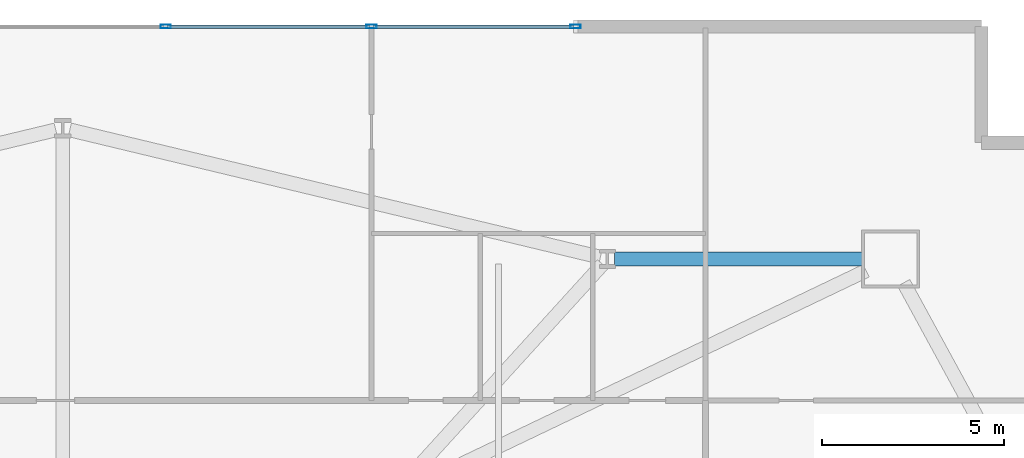
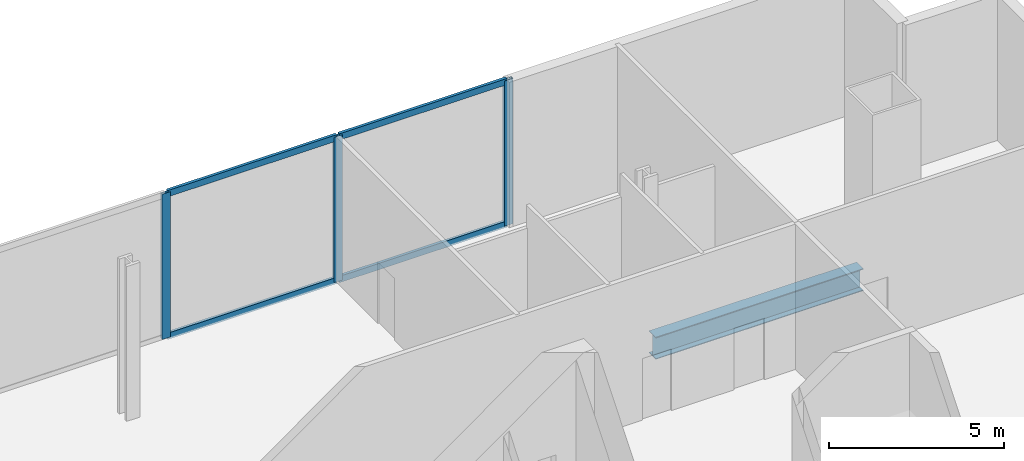
# One storey, part 9 of 20: 7 members, 1 beam, 1 element without a shape of its own.
"""IFC4 building model written with IfcOpenShell, lengths in metres."""

from ifc_helpers import new_model, si_unit, direction, frame, origin, origin_2d, place, context, subcontext, project, spatial, hollow_rectangle, i_section, extrude, material, material_profile, profile_set, type_object, element, aggregate, save


model = new_model("IFC4")

# Units and contexts
model_context = context("Model", 3, precision=1e-05, world=origin(), true_north=direction((0.0, 1.0)))
body_context = subcontext(model_context, "Body", "Model", "MODEL_VIEW")
ifc_project = project(units=[si_unit("LENGTHUNIT", "METRE"), si_unit("AREAUNIT", "SQUARE_METRE"), si_unit("VOLUMEUNIT", "CUBIC_METRE"), si_unit("PLANEANGLEUNIT", "RADIAN"), si_unit("MASSUNIT", "GRAM", prefix="KILO")], contexts=[model_context])

# Site, building, storey
site_placement = place(None, origin())
site = spatial("IfcSite", under=ifc_project, at=site_placement, CompositionType="ELEMENT")
building_placement = place(site_placement, origin())
building = spatial("IfcBuilding", under=site, at=building_placement, Name="Haldenkirk Collegiate Tower", CompositionType="ELEMENT")
storey_placement = place(building_placement, frame((0.0, 0.0, 11.39990234375)))
storey = spatial("IfcBuildingStorey", under=building, at=storey_placement, Name="L02", CompositionType="ELEMENT", Elevation=11.39990234375)

# Beam
ifc_material_1 = material(Name="Steel ASTM A992 Grade 50", Category="steel")
ifc_material_profile_1 = material_profile(ifc_material_1, i_section(OverallWidth=0.381103515625, OverallDepth=0.77294921875, WebThickness=0.0166015625, FlangeThickness=0.027099609375, at=origin_2d()), Name="W30X173")
ifc_profile_set_1 = profile_set([ifc_material_profile_1], Name="Steel ASTM A992 Grade 50")
beam_type = type_object("IfcBeamType", Name="BM-GIRDER-W30X173", PredefinedType="BEAM", material=ifc_profile_set_1)
beam_placement = place(storey_placement, frame((58.050048828125, 40.60009765625, -0.71630859375), z_axis=(-1.0, 0.0, 0.0), x_axis=(0.0, -1.0, 0.0)))
element("IfcBeam", 1, at=beam_placement, inside=storey, type_object=beam_type, Name="L02 podium ring girder 08", PredefinedType="BEAM", context=body_context, shape_type="SweptSolid", body=[
    extrude(i_section(OverallWidth=0.381103515625, OverallDepth=0.77294921875, WebThickness=0.0166015625, FlangeThickness=0.027099609375, at=origin_2d()), origin(), (0.0, 0.0, 1.0), 6.85009765625),
])

# Curtain wall, members
ifc_material_2 = material(Name="Anodised architectural bronze aluminium", Category="aluminium")
curtain_wall_type = type_object("IfcCurtainWallType", Name="CW-SYS3-PODIUM", PredefinedType="USERDEFINED", material=ifc_material_2)
curtain_wall_placement = place(storey_placement, origin())
curtain_wall = element("IfcCurtainWall", 2, at=curtain_wall_placement, inside=storey, type_object=curtain_wall_type, Name="L02 Podium campus concourse and library storefront curtain wall", ObjectType="UNITISED CURTAIN WALL", PredefinedType="USERDEFINED")
ifc_material_profile_2 = material_profile(ifc_material_2, hollow_rectangle(XDim=0.094970703125, YDim=0.280029296875, WallThickness=0.0048828125, at=origin_2d()), Name="CW-MUL-03")
ifc_profile_set_2 = profile_set([ifc_material_profile_2], Name="Anodised architectural bronze aluminium")
member_type_1 = type_object("IfcMemberType", Name="CW-MUL-03", PredefinedType="MULLION", material=ifc_profile_set_2)
member_1_placement = place(storey_placement, frame((38.83349609375, 47.0, 0.0), z_axis=(0.0, 0.0, 1.0), x_axis=(0.0, 1.0, 0.0)))
member_1 = element("IfcMember", 3, at=member_1_placement, type_object=member_type_1, Name="CW-03 mullion 4", PredefinedType="MULLION", context=body_context, shape_type="SweptSolid", body=[
    extrude(hollow_rectangle(XDim=0.094970703125, YDim=0.280029296875, WallThickness=0.0048828125, at=origin_2d()), origin(), (0.0, 0.0, 1.0), 5.070068359375),
])
member_2_placement = place(storey_placement, frame((44.500732421875, 47.0, 0.0), z_axis=(0.0, 0.0, 1.0), x_axis=(0.0, 1.0, 0.0)))
member_2 = element("IfcMember", 4, at=member_2_placement, type_object=member_type_1, Name="CW-03 mullion 5", PredefinedType="MULLION", context=body_context, shape_type="SweptSolid", body=[
    extrude(hollow_rectangle(XDim=0.094970703125, YDim=0.280029296875, WallThickness=0.0048828125, at=origin_2d()), origin(), (0.0, 0.0, 1.0), 5.070068359375),
])
member_3_placement = place(storey_placement, frame((50.12060546875, 47.0, 0.0), z_axis=(0.0, 0.0, 1.0), x_axis=(0.0, 1.0, 0.0)))
member_3 = element("IfcMember", 5, at=member_3_placement, type_object=member_type_1, Name="CW-03 mullion 6", PredefinedType="MULLION", context=body_context, shape_type="SweptSolid", body=[
    extrude(hollow_rectangle(XDim=0.094970703125, YDim=0.280029296875, WallThickness=0.0048828125, at=origin_2d()), origin(), (0.0, 0.0, 1.0), 5.070068359375),
])
ifc_material_profile_3 = material_profile(ifc_material_2, hollow_rectangle(XDim=0.094970703125, YDim=0.219970703125, WallThickness=0.0048828125, at=origin_2d()), Name="CW-TRN-03")
ifc_profile_set_3 = profile_set([ifc_material_profile_3], Name="Anodised architectural bronze aluminium")
member_type_2 = type_object("IfcMemberType", Name="CW-TRN-03", PredefinedType="USERDEFINED", material=ifc_profile_set_3)
member_4_placement = place(storey_placement, frame((38.881103515625, 47.0, 0.047607421875), z_axis=(1.0, 0.0, 0.0), x_axis=(0.0, 1.0, 0.0)))
member_4 = element("IfcMember", 6, at=member_4_placement, type_object=member_type_2, Name="CW-03 transom 4.1", ObjectType="TRANSOM", PredefinedType="USERDEFINED", context=body_context, shape_type="SweptSolid", body=[
    extrude(hollow_rectangle(XDim=0.094970703125, YDim=0.219970703125, WallThickness=0.0048828125, at=origin_2d()), origin(), (0.0, 0.0, 1.0), 5.572265625),
])
member_5_placement = place(storey_placement, frame((38.881103515625, 47.0, 5.022705078125), z_axis=(1.0, 0.0, 0.0), x_axis=(0.0, 1.0, 0.0)))
member_5 = element("IfcMember", 7, at=member_5_placement, type_object=member_type_2, Name="CW-03 transom 4.2", ObjectType="TRANSOM", PredefinedType="USERDEFINED", context=body_context, shape_type="SweptSolid", body=[
    extrude(hollow_rectangle(XDim=0.094970703125, YDim=0.219970703125, WallThickness=0.0048828125, at=origin_2d()), origin(), (0.0, 0.0, 1.0), 5.572265625),
])
member_6_placement = place(storey_placement, frame((44.54833984375, 47.0, 0.047607421875), z_axis=(1.0, 0.0, 0.0), x_axis=(0.0, 1.0, 0.0)))
member_6 = element("IfcMember", 8, at=member_6_placement, type_object=member_type_2, Name="CW-03 transom 5.1", ObjectType="TRANSOM", PredefinedType="USERDEFINED", context=body_context, shape_type="SweptSolid", body=[
    extrude(hollow_rectangle(XDim=0.094970703125, YDim=0.219970703125, WallThickness=0.0048828125, at=origin_2d()), origin(), (0.0, 0.0, 1.0), 5.524658203125),
])
member_7_placement = place(storey_placement, frame((44.54833984375, 47.0, 5.022705078125), z_axis=(1.0, 0.0, 0.0), x_axis=(0.0, 1.0, 0.0)))
member_7 = element("IfcMember", 9, at=member_7_placement, type_object=member_type_2, Name="CW-03 transom 5.2", ObjectType="TRANSOM", PredefinedType="USERDEFINED", context=body_context, shape_type="SweptSolid", body=[
    extrude(hollow_rectangle(XDim=0.094970703125, YDim=0.219970703125, WallThickness=0.0048828125, at=origin_2d()), origin(), (0.0, 0.0, 1.0), 5.524658203125),
])
aggregate(curtain_wall, [member_1, member_2, member_3, member_4, member_5, member_6, member_7])

save(model, "model.ifc")
